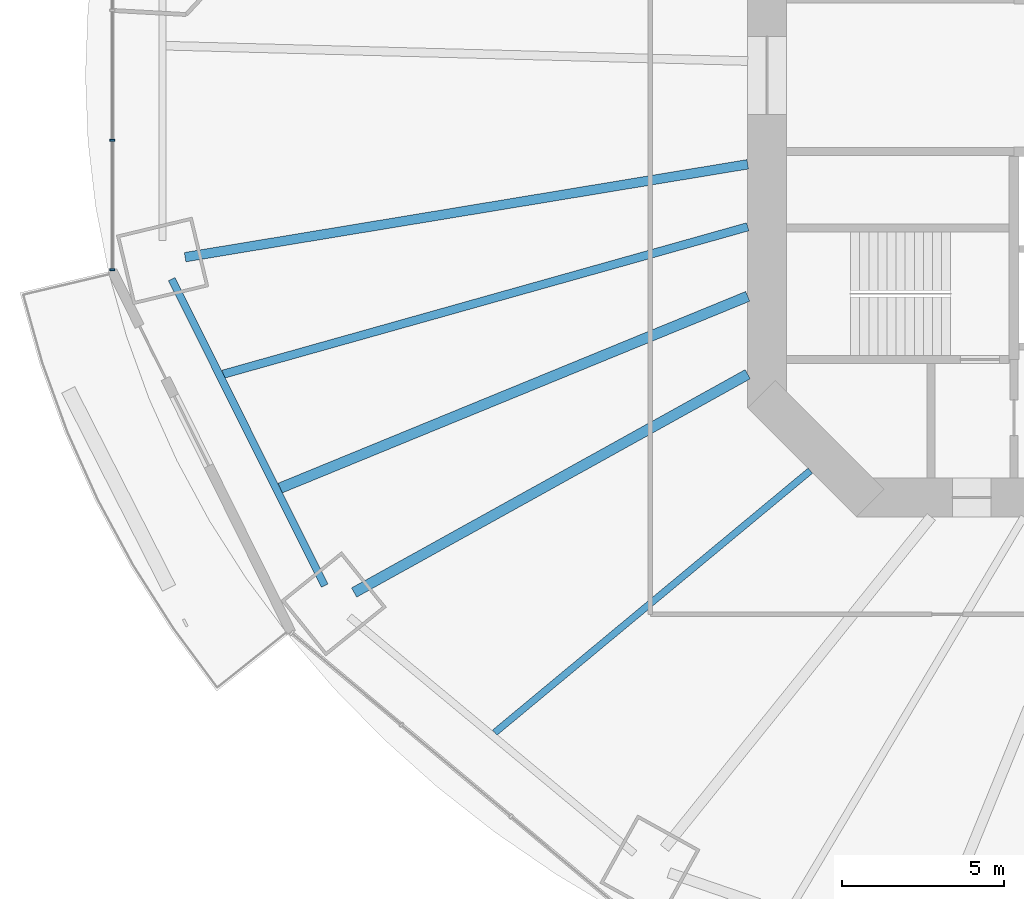
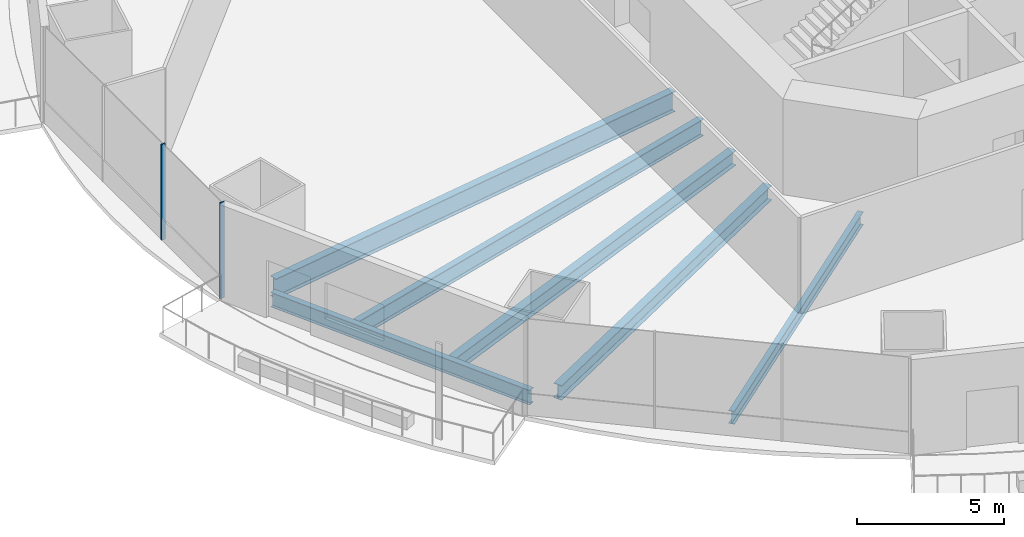
# One storey, part 3 of 23: 6 beams, 2 members, 1 element without a shape of its own.
"""IFC4 building model written with IfcOpenShell, lengths in metres."""

from ifc_helpers import new_model, si_unit, direction, frame, origin, origin_2d, place, context, subcontext, project, spatial, rectangle, i_section, extrude, material, material_profile, profile_set, type_object, element, aggregate, save


model = new_model("IFC4")

# Units and contexts
model_context = context("Model", 3, precision=1e-05, world=origin(), true_north=direction((0.0, 1.0)))
body_context = subcontext(model_context, "Body", "Model", "MODEL_VIEW")
ifc_project = project(units=[si_unit("LENGTHUNIT", "METRE"), si_unit("AREAUNIT", "SQUARE_METRE"), si_unit("VOLUMEUNIT", "CUBIC_METRE"), si_unit("PLANEANGLEUNIT", "RADIAN"), si_unit("MASSUNIT", "GRAM", prefix="KILO")], contexts=[model_context])

# Site, building, storey
site_placement = place(None, origin())
site = spatial("IfcSite", under=ifc_project, at=site_placement, CompositionType="ELEMENT")
building_placement = place(site_placement, origin())
building = spatial("IfcBuilding", under=site, at=building_placement, Name="Marenthal Gate Tower", CompositionType="ELEMENT")
storey_placement = place(building_placement, frame((0.0, 0.0, 41.300048828125)))
storey = spatial("IfcBuildingStorey", under=building, at=storey_placement, Name="L06", CompositionType="ELEMENT", Elevation=41.300048828125)

# Curtain wall, members
ifc_material_1 = material(Name="Aluminium and glass", Category="aluminium")
curtain_wall_type = type_object("IfcCurtainWallType", Name="Curtain wall typical low", PredefinedType="NOTDEFINED", material=ifc_material_1)
curtain_wall_placement = place(storey_placement, origin())
curtain_wall = element("IfcCurtainWall", 1, at=curtain_wall_placement, inside=storey, type_object=curtain_wall_type, Name="Curtain wall L06 bay 8", PredefinedType="NOTDEFINED")
ifc_material_2 = material(Name="Aluminium", Category="aluminium")
ifc_material_profile_1 = material_profile(ifc_material_2, rectangle(XDim=0.159912109375, YDim=0.06005859375, at=origin_2d()), Name="60x160 aluminium mullion")
ifc_profile_set_1 = profile_set([ifc_material_profile_1], Name="Aluminium")
member_type = type_object("IfcMemberType", Name="Mullion 60x160 typical low", PredefinedType="MULLION", material=ifc_profile_set_1)
member_1_placement = place(storey_placement, frame((-36.17138671875, -1.998046875, 0.0), z_axis=(0.0, 0.0, 1.0), x_axis=(1.0, 0.0, 0.0)))
member_1 = element("IfcMember", 2, at=member_1_placement, type_object=member_type, Name="Mullion L06 bay 8.3", PredefinedType="MULLION", context=body_context, shape_type="SweptSolid", body=[
    extrude(rectangle(XDim=0.159912109375, YDim=0.06005859375, at=origin_2d()), origin(), (0.0, 0.0, 1.0), 3.969970703125),
])
member_2_placement = place(storey_placement, frame((-36.17138671875, -5.994384765625, 0.0), z_axis=(0.0, 0.0, 1.0), x_axis=(1.0, 0.0, 0.0)))
member_2 = element("IfcMember", 3, at=member_2_placement, type_object=member_type, Name="Mullion L06 bay 8.4", PredefinedType="MULLION", context=body_context, shape_type="SweptSolid", body=[
    extrude(rectangle(XDim=0.159912109375, YDim=0.06005859375, at=origin_2d()), origin(), (0.0, 0.0, 1.0), 3.969970703125),
])
aggregate(curtain_wall, [member_1, member_2])

# Beams
ifc_material_3 = material(Name="Steel S355", Category="steel")
ifc_material_profile_2 = material_profile(ifc_material_3, i_section(OverallWidth=0.2119140625, OverallDepth=0.5439453125, WebThickness=0.01318359375, FlangeThickness=0.021240234375, FilletRadius=0.0126953125, at=origin_2d()), Name="W530X123")
ifc_profile_set_2 = profile_set([ifc_material_profile_2], Name="Steel S355")
beam_type_1 = type_object("IfcBeamType", Name="W530X123 beam", PredefinedType="BEAM", material=ifc_profile_set_2)
beam_1_placement = place(storey_placement, frame((-24.3916015625, -20.245849609375, -0.4521484375), z_axis=(0.769466511284, 0.638687159737, 0.0), x_axis=(-0.638687159737, 0.769466511284, 0.0)))
element("IfcBeam", 4, at=beam_1_placement, inside=storey, type_object=beam_type_1, Name="BM-L06-31", PredefinedType="BEAM", context=body_context, shape_type="SweptSolid", body=[
    extrude(i_section(OverallWidth=0.2119140625, OverallDepth=0.5439453125, WebThickness=0.01318359375, FlangeThickness=0.021240234375, FilletRadius=0.0126953125, at=origin_2d()), origin(), (0.0, 0.0, 1.0), 12.6328125),
])
ifc_material_4 = material(Name="Steel S355", Category="steel")
ifc_material_profile_3 = material_profile(ifc_material_4, i_section(OverallWidth=0.22900390625, OverallDepth=0.612060546875, WebThickness=0.011962890625, FlangeThickness=0.01953125, FilletRadius=0.0126953125, at=origin_2d()), Name="W610X125")
ifc_profile_set_3 = profile_set([ifc_material_profile_3], Name="Steel S355")
beam_type_2 = type_object("IfcBeamType", Name="W610X125 beam", PredefinedType="BEAM", material=ifc_profile_set_3)
beam_2_placement = place(storey_placement, frame((-34.3408203125, -6.279052734375, -0.486083984375), z_axis=(0.446519173672, -0.894774065082, 0.0), x_axis=(0.894774065082, 0.446519173672, 0.0)))
element("IfcBeam", 5, at=beam_2_placement, inside=storey, type_object=beam_type_2, Name="BM-L06-49", PredefinedType="BEAM", context=body_context, shape_type="SweptSolid", body=[
    extrude(i_section(OverallWidth=0.22900390625, OverallDepth=0.612060546875, WebThickness=0.011962890625, FlangeThickness=0.01953125, FilletRadius=0.0126953125, at=origin_2d()), origin(), (0.0, 0.0, 1.0), 10.54931640625),
])
ifc_material_5 = material(Name="Steel S355", Category="steel")
ifc_material_profile_4 = material_profile(ifc_material_5, i_section(OverallWidth=0.324951171875, OverallDepth=0.612060546875, WebThickness=0.0126953125, FlangeThickness=0.01904296875, FilletRadius=0.0126953125, at=origin_2d()), Name="W610X155")
ifc_profile_set_4 = profile_set([ifc_material_profile_4], Name="Steel S355")
beam_type_3 = type_object("IfcBeamType", Name="W610X155 beam", PredefinedType="BEAM", material=ifc_profile_set_4)
beam_3_placement = place(storey_placement, frame((-28.72314453125, -15.929931640625, -0.486083984375), z_axis=(0.874513423091, 0.485001312198, 0.0), x_axis=(-0.485001312198, 0.874513423091, 0.0)))
element("IfcBeam", 6, at=beam_3_placement, inside=storey, type_object=beam_type_3, Name="BM-L06-10", PredefinedType="BEAM", context=body_context, shape_type="SweptSolid", body=[
    extrude(i_section(OverallWidth=0.324951171875, OverallDepth=0.612060546875, WebThickness=0.0126953125, FlangeThickness=0.01904296875, FilletRadius=0.0126953125, at=origin_2d()), origin(), (0.0, 0.0, 1.0), 13.862548828125),
])
beam_4_placement = place(storey_placement, frame((-31.001708984375, -12.7138671875, -0.486083984375), z_axis=(0.925221568218, 0.379427265367, 0.0), x_axis=(-0.379427265367, 0.925221568218, 0.0)))
element("IfcBeam", 7, at=beam_4_placement, inside=storey, type_object=beam_type_3, Name="BM-L06-30", PredefinedType="BEAM", context=body_context, shape_type="SweptSolid", body=[
    extrude(i_section(OverallWidth=0.324951171875, OverallDepth=0.612060546875, WebThickness=0.0126953125, FlangeThickness=0.01904296875, FilletRadius=0.0126953125, at=origin_2d()), origin(), (0.0, 0.0, 1.0), 15.565673828125),
])
ifc_material_6 = material(Name="Steel S355", Category="steel")
ifc_material_profile_5 = material_profile(ifc_material_6, i_section(OverallWidth=0.257080078125, OverallDepth=0.693115234375, WebThickness=0.014404296875, FlangeThickness=0.023681640625, FilletRadius=0.015380859375, at=origin_2d()), Name="W690X170")
ifc_profile_set_5 = profile_set([ifc_material_profile_5], Name="Steel S355")
beam_type_4 = type_object("IfcBeamType", Name="W690X170 beam", PredefinedType="BEAM", material=ifc_profile_set_5)
beam_5_placement = place(storey_placement, frame((-32.75244140625, -9.205322265625, -0.526611328125), z_axis=(0.962698331576, 0.270577017467, 0.0), x_axis=(-0.270577017467, 0.962698331576, 0.0)))
element("IfcBeam", 8, at=beam_5_placement, inside=storey, type_object=beam_type_4, Name="BM-L06-29", PredefinedType="BEAM", context=body_context, shape_type="SweptSolid", body=[
    extrude(i_section(OverallWidth=0.257080078125, OverallDepth=0.693115234375, WebThickness=0.014404296875, FlangeThickness=0.023681640625, FilletRadius=0.015380859375, at=origin_2d()), origin(), (0.0, 0.0, 1.0), 16.7783203125),
])
ifc_material_7 = material(Name="Steel S355", Category="steel")
ifc_material_profile_6 = material_profile(ifc_material_7, i_section(OverallWidth=0.2919921875, OverallDepth=0.841064453125, WebThickness=0.0146484375, FlangeThickness=0.021728515625, FilletRadius=0.017822265625, at=origin_2d()), Name="W840X193")
ifc_profile_set_6 = profile_set([ifc_material_profile_6], Name="Steel S355")
beam_type_5 = type_object("IfcBeamType", Name="W840X193 beam", PredefinedType="BEAM", material=ifc_profile_set_6)
beam_6_placement = place(storey_placement, frame((-33.927978515625, -5.6015625, -0.6005859375), z_axis=(0.986643376601, 0.162895203762, 0.0), x_axis=(-0.162895203762, 0.986643376601, 0.0)))
element("IfcBeam", 9, at=beam_6_placement, inside=storey, type_object=beam_type_5, Name="BM-L06-09", PredefinedType="BEAM", context=body_context, shape_type="SweptSolid", body=[
    extrude(i_section(OverallWidth=0.2919921875, OverallDepth=0.841064453125, WebThickness=0.0146484375, FlangeThickness=0.021728515625, FilletRadius=0.017822265625, at=origin_2d()), origin(), (0.0, 0.0, 1.0), 17.5625),
])

save(model, "model.ifc")
